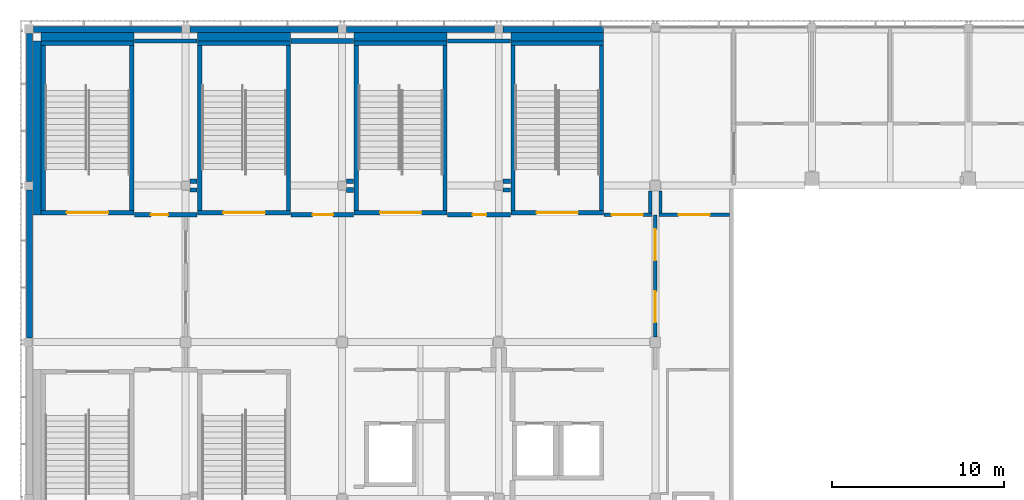
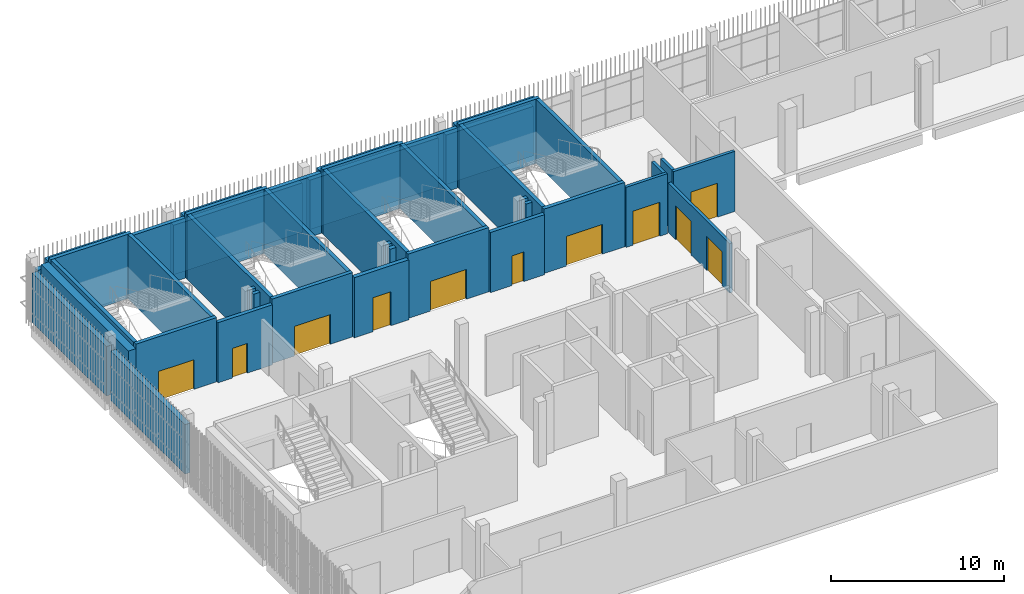
# One storey, part 75 of 124: 44 walls, 11 doors, 11 openings.
"""IFC4 building model written with IfcOpenShell, lengths in metres."""

from ifc_helpers import new_model, si_unit, direction, frame, frame_2d, origin, place, context, subcontext, project, spatial, rectangle, extrude, material, layer, layer_set, type_object, element, fill, save


model = new_model("IFC4")

# Units and contexts
model_context = context("Model", 3, precision=1e-05, world=origin(), true_north=direction((0.0, 1.0)))
body_context = subcontext(model_context, "Body", "Model", "MODEL_VIEW")
ifc_project = project(units=[si_unit("LENGTHUNIT", "METRE"), si_unit("AREAUNIT", "SQUARE_METRE"), si_unit("VOLUMEUNIT", "CUBIC_METRE"), si_unit("PLANEANGLEUNIT", "RADIAN"), si_unit("MASSUNIT", "GRAM", prefix="KILO")], contexts=[model_context])

# Site, building, storey
site_placement = place(None, origin())
site = spatial("IfcSite", under=ifc_project, at=site_placement, CompositionType="ELEMENT")
building_placement = place(site_placement, origin())
building = spatial("IfcBuilding", under=site, at=building_placement, Name="Shirokan Park Arena", CompositionType="ELEMENT")
storey_placement = place(building_placement, frame((0.0, 0.0, 20.02001953125)))
storey = spatial("IfcBuildingStorey", under=building, at=storey_placement, Name="L04", CompositionType="ELEMENT", Elevation=20.02001953125)

# Wall, opening, door
ifc_material_1 = material(Name="Plaster")
ifc_layer_1 = layer(ifc_material_1, 0.014892578125, Name="Plaster")
ifc_material_2 = material(Name="Concrete blockwork", Category="masonry")
ifc_layer_2 = layer(ifc_material_2, 0.219970703125, Name="Concrete blockwork 220")
ifc_layer_3 = layer(ifc_material_1, 0.014892578125, Name="Plaster")
ifc_layer_set_1 = layer_set([ifc_layer_1, ifc_layer_2, ifc_layer_3], Name="Plaster + Concrete blockwork 220")
wall_type_1 = type_object("IfcWallType", Name="Compartment wall 250", PredefinedType="SOLIDWALL", material=ifc_layer_set_1)
wall_1_placement = place(storey_placement, frame((6.1298828125, 98.39990234375, 0.0), z_axis=(0.0, 0.0, 1.0), x_axis=(1.0, 0.0, 0.0)))
wall_1 = element("IfcWall", 1, at=wall_1_placement, inside=storey, type_object=wall_type_1, Name="Compartment wall 250 L04", PredefinedType="SOLIDWALL", context=body_context, shape_type="SweptSolid", body=[
    extrude(rectangle(XDim=3.64013671875, YDim=0.25, at=frame_2d((1.820068359375, 0.0))), origin(), (0.0, 0.0, 1.0), 4.25),
])
opening_1_placement = place(wall_1_placement, frame((0.949951171875, 0.0, 0.0)))
opening_1 = element("IfcOpeningElement", 2, at=opening_1_placement, cuts=wall_1, Name="Opening D-4036", PredefinedType="OPENING", context=body_context, shape_type="SweptSolid", body=[
    extrude(rectangle(XDim=1.0, YDim=2.10009765625, at=frame_2d((0.5, 1.050048828125))), frame((0.0, 0.135009765625, 0.0), z_axis=(0.0, -1.0, 0.0), x_axis=(1.0, 0.0, 0.0)), (0.0, 0.0, 1.0), 0.27001953125),
])
ifc_material_3 = material(Name="Timber door set, fire resisting", Category="wood")
door_type_1 = type_object("IfcDoorType", Name="Door 1000 x 2100", OperationType="SINGLE_SWING_LEFT", PredefinedType="DOOR", material=ifc_material_3)
door_1_placement = place(opening_1_placement, origin())
door_1 = element("IfcDoor", 3, at=door_1_placement, inside=storey, type_object=door_type_1, Name="Door to Records Store 4.40 D-4036", OperationType="SINGLE_SWING_RIGHT", OverallHeight=2.10009765625, OverallWidth=1.0, PredefinedType="DOOR", context=body_context, shape_type="SweptSolid", body=[
    extrude(rectangle(XDim=1.0, YDim=2.10009765625, at=frame_2d((0.5, 1.050048828125))), frame((0.0, 0.02490234375, 0.0), z_axis=(0.0, -1.0, 0.0), x_axis=(1.0, 0.0, 0.0)), (0.0, 0.0, 1.0), 0.050048828125),
])
fill(opening_1, door_1)

# Walls
wall_2_placement = place(storey_placement, frame((6.1298828125, 108.5, 0.0), z_axis=(0.0, 0.0, 1.0), x_axis=(1.0, 0.0, 0.0)))
element("IfcWall", 4, at=wall_2_placement, inside=storey, type_object=wall_type_1, Name="Compartment wall 250 L04", PredefinedType="SOLIDWALL", context=body_context, shape_type="SweptSolid", body=[
    extrude(rectangle(XDim=3.64013671875, YDim=0.25, at=frame_2d((1.820068359375, 0.0))), origin(), (0.0, 0.0, 1.0), 4.25),
])
for number, where, z_axis, x_axis, name in (
    (5, (9.35009765625, 99.85009765625, 0.0), (0.0, 0.0, 1.0), (1.0, 0.0, 0.0), "Compartment wall 250 L04"),
    (6, (9.77001953125, 100.35009765625, 0.0), (0.0, 0.0, 1.0), (-1.0, 0.0, 0.0), "Compartment wall 250 L04"),
):
    element("IfcWall", number, at=place(storey_placement, frame(where, z_axis=z_axis, x_axis=x_axis)), inside=storey, type_object=wall_type_1, Name=name, PredefinedType="SOLIDWALL", context=body_context, shape_type="SweptSolid", body=[
        extrude(rectangle(XDim=0.419921875, YDim=0.25, at=frame_2d((0.2099609375, 0.0))), origin(), (0.0, 0.0, 1.0), 4.25),
    ])

# Wall, opening, door
wall_3_placement = place(storey_placement, frame((24.330078125, 98.39990234375, 0.0), z_axis=(0.0, 0.0, 1.0), x_axis=(1.0, 0.0, 0.0)))
wall_3 = element("IfcWall", 7, at=wall_3_placement, inside=storey, type_object=wall_type_1, Name="Compartment wall 250 L04", PredefinedType="SOLIDWALL", context=body_context, shape_type="SweptSolid", body=[
    extrude(rectangle(XDim=3.639892578125, YDim=0.25, at=frame_2d((1.81982421875, 0.0))), origin(), (0.0, 0.0, 1.0), 4.25),
])
opening_2_placement = place(wall_3_placement, frame((1.449951171875, 0.0, 0.0)))
opening_2 = element("IfcOpeningElement", 8, at=opening_2_placement, cuts=wall_3, Name="Opening D-4038", PredefinedType="OPENING", context=body_context, shape_type="SweptSolid", body=[
    extrude(rectangle(XDim=0.800048828125, YDim=2.10009765625, at=frame_2d((0.39990234375, 1.050048828125))), frame((0.0, 0.135009765625, 0.0), z_axis=(0.0, -1.0, 0.0), x_axis=(1.0, 0.0, 0.0)), (0.0, 0.0, 1.0), 0.27001953125),
])
door_type_2 = type_object("IfcDoorType", Name="Cleaner store door 800 x 2100", OperationType="SINGLE_SWING_LEFT", PredefinedType="DOOR", material=ifc_material_3)
door_2_placement = place(opening_2_placement, origin())
door_2 = element("IfcDoor", 9, at=door_2_placement, inside=storey, type_object=door_type_2, Name="Door to Cleaner's Store 4.42 D-4038", OperationType="SINGLE_SWING_LEFT", OverallHeight=2.10009765625, OverallWidth=0.800048828125, PredefinedType="DOOR", context=body_context, shape_type="SweptSolid", body=[
    extrude(rectangle(XDim=0.800048828125, YDim=2.10009765625, at=frame_2d((0.39990234375, 1.050048828125))), frame((0.0, 0.02490234375, 0.0), z_axis=(0.0, -1.0, 0.0), x_axis=(1.0, 0.0, 0.0)), (0.0, 0.0, 1.0), 0.050048828125),
])
fill(opening_2, door_2)

# Walls
wall_4_placement = place(storey_placement, frame((24.330078125, 108.5, 0.0), z_axis=(0.0, 0.0, 1.0), x_axis=(1.0, 0.0, 0.0)))
element("IfcWall", 10, at=wall_4_placement, inside=storey, type_object=wall_type_1, Name="Compartment wall 250 L04", PredefinedType="SOLIDWALL", context=body_context, shape_type="SweptSolid", body=[
    extrude(rectangle(XDim=3.639892578125, YDim=0.25, at=frame_2d((1.81982421875, 0.0))), origin(), (0.0, 0.0, 1.0), 4.25),
])
for number, where, z_axis, x_axis, name in (
    (11, (27.550048828125, 99.85009765625, 0.0), (0.0, 0.0, 1.0), (1.0, 0.0, 0.0), "Compartment wall 250 L04"),
    (12, (27.969970703125, 100.35009765625, 0.0), (0.0, 0.0, 1.0), (-1.0, 0.0, 0.0), "Compartment wall 250 L04"),
):
    element("IfcWall", number, at=place(storey_placement, frame(where, z_axis=z_axis, x_axis=x_axis)), inside=storey, type_object=wall_type_1, Name=name, PredefinedType="SOLIDWALL", context=body_context, shape_type="SweptSolid", body=[
        extrude(rectangle(XDim=0.419921875, YDim=0.25, at=frame_2d((0.2099609375, 0.0))), origin(), (0.0, 0.0, 1.0), 4.25),
    ])

# Wall, opening, door
ifc_material_4 = material(Name="Gypsum board")
ifc_layer_4 = layer(ifc_material_4, 0.02490234375, Name="Gypsum board, two layers")
ifc_material_5 = material(Name="Mineral wool insulation")
ifc_layer_5 = layer(ifc_material_5, 0.14990234375, Name="Mineral wool insulation")
ifc_layer_6 = layer(ifc_material_4, 0.02490234375, Name="Gypsum board, two layers")
ifc_layer_set_2 = layer_set([ifc_layer_4, ifc_layer_5, ifc_layer_6], Name="Gypsum board, two layers + Mineral wool insulation")
wall_type_2 = type_object("IfcWallType", Name="Corridor wall 200", PredefinedType="PARTITIONING", material=ifc_layer_set_2)
wall_5_placement = place(storey_placement, frame((33.429931640625, 98.39990234375, 0.0), z_axis=(0.0, 0.0, 1.0), x_axis=(1.0, 0.0, 0.0)))
wall_5 = element("IfcWall", 13, at=wall_5_placement, inside=storey, type_object=wall_type_2, Name="Corridor wall 200 L04", PredefinedType="PARTITIONING", context=body_context, shape_type="SweptSolid", body=[
    extrude(rectangle(XDim=2.77001953125, YDim=0.199951171875, at=frame_2d((1.385009765625, 0.0))), origin(), (0.0, 0.0, 1.0), 4.25),
])
opening_3_placement = place(wall_5_placement, frame((0.449951171875, 0.0, 0.0)))
opening_3 = element("IfcOpeningElement", 14, at=opening_3_placement, cuts=wall_5, Name="Opening D-4115", PredefinedType="OPENING", context=body_context, shape_type="SweptSolid", body=[
    extrude(rectangle(XDim=1.800048828125, YDim=2.39990234375, at=frame_2d((0.89990234375, 1.199951171875))), frame((0.0, 0.10986328125, 0.0), z_axis=(0.0, -1.0, 0.0), x_axis=(1.0, 0.0, 0.0)), (0.0, 0.0, 1.0), 0.219970703125),
])
ifc_material_6 = material(Name="Glazed steel door set, fire resisting", Category="steel")
door_type_3 = type_object("IfcDoorType", Name="Lift lobby door 1800 x 2400", OperationType="DOUBLE_DOOR_SINGLE_SWING", PredefinedType="DOOR", material=ifc_material_6)
door_3_placement = place(opening_3_placement, origin())
door_3 = element("IfcDoor", 15, at=door_3_placement, inside=storey, type_object=door_type_3, Name="Door between Broadcast Gallery 4.4.2 and Ring Link 4.4 D-4115", OperationType="DOUBLE_DOOR_SINGLE_SWING", OverallHeight=2.39990234375, OverallWidth=1.800048828125, PredefinedType="DOOR", context=body_context, shape_type="SweptSolid", body=[
    extrude(rectangle(XDim=1.800048828125, YDim=2.39990234375, at=frame_2d((0.89990234375, 1.199951171875))), frame((0.0, 0.02490234375, 0.0), z_axis=(0.0, -1.0, 0.0), x_axis=(1.0, 0.0, 0.0)), (0.0, 0.0, 1.0), 0.050048828125),
])
fill(opening_3, door_3)

# Wall
wall_6_placement = place(storey_placement, frame((36.10009765625, 98.5, 0.0), z_axis=(0.0, 0.0, 1.0), x_axis=(0.0, 1.0, 0.0)))
element("IfcWall", 16, at=wall_6_placement, inside=storey, type_object=wall_type_2, Name="Corridor wall 200 L04", PredefinedType="PARTITIONING", context=body_context, shape_type="SweptSolid", body=[
    extrude(rectangle(XDim=1.300048828125, YDim=0.199951171875, at=frame_2d((0.64990234375, 0.0))), origin(), (0.0, 0.0, 1.0), 4.25),
])

# Wall, openings, doors
wall_7_placement = place(storey_placement, frame((36.39990234375, 98.39990234375, 0.0), z_axis=(0.0, 0.0, 1.0), x_axis=(0.0, -1.0, 0.0)))
wall_7 = element("IfcWall", 17, at=wall_7_placement, inside=storey, type_object=wall_type_2, Name="Corridor wall 200 L04", PredefinedType="PARTITIONING", context=body_context, shape_type="SweptSolid", body=[
    extrude(rectangle(XDim=7.099853515625, YDim=0.199951171875, at=frame_2d((3.5498046875, 0.0))), origin(), (0.0, 0.0, 1.0), 3.5),
])
opening_4_placement = place(wall_7_placement, frame((0.85009765625, 0.0, 0.0)))
opening_4 = element("IfcOpeningElement", 18, at=opening_4_placement, cuts=wall_7, Name="Opening D-4111", PredefinedType="OPENING", context=body_context, shape_type="SweptSolid", body=[
    extrude(rectangle(XDim=1.800048828125, YDim=2.39990234375, at=frame_2d((0.89990234375, 1.199951171875))), frame((0.0, 0.10986328125, 0.0), z_axis=(0.0, -1.0, 0.0), x_axis=(1.0, 0.0, 0.0)), (0.0, 0.0, 1.0), 0.219970703125),
])
opening_5_placement = place(wall_7_placement, frame((4.449951171875, 0.0, 0.0)))
opening_5 = element("IfcOpeningElement", 19, at=opening_5_placement, cuts=wall_7, Name="Opening D-4112", PredefinedType="OPENING", context=body_context, shape_type="SweptSolid", body=[
    extrude(rectangle(XDim=1.800048828125, YDim=2.39990234375, at=frame_2d((0.89990234375, 1.199951171875))), frame((0.0, 0.10986328125, 0.0), z_axis=(0.0, -1.0, 0.0), x_axis=(1.0, 0.0, 0.0)), (0.0, 0.0, 1.0), 0.219970703125),
])
door_4_placement = place(opening_4_placement, origin())
door_4 = element("IfcDoor", 20, at=door_4_placement, inside=storey, type_object=door_type_3, Name="Door between Broadcast Gallery 4.4.2 and Staff Foyer 4.4.3 D-4111", OperationType="DOUBLE_DOOR_SINGLE_SWING", OverallHeight=2.39990234375, OverallWidth=1.800048828125, PredefinedType="DOOR", context=body_context, shape_type="SweptSolid", body=[
    extrude(rectangle(XDim=1.800048828125, YDim=2.39990234375, at=frame_2d((0.89990234375, 1.199951171875))), frame((0.0, 0.02490234375, 0.0), z_axis=(0.0, -1.0, 0.0), x_axis=(1.0, 0.0, 0.0)), (0.0, 0.0, 1.0), 0.050048828125),
])
fill(opening_4, door_4)
door_5_placement = place(opening_5_placement, origin())
door_5 = element("IfcDoor", 21, at=door_5_placement, inside=storey, type_object=door_type_3, Name="Door between Broadcast Gallery 4.4.2 and Staff Foyer 4.4.3 D-4112", OperationType="DOUBLE_DOOR_SINGLE_SWING", OverallHeight=2.39990234375, OverallWidth=1.800048828125, PredefinedType="DOOR", context=body_context, shape_type="SweptSolid", body=[
    extrude(rectangle(XDim=1.800048828125, YDim=2.39990234375, at=frame_2d((0.89990234375, 1.199951171875))), frame((0.0, 0.02490234375, 0.0), z_axis=(0.0, -1.0, 0.0), x_axis=(1.0, 0.0, 0.0)), (0.0, 0.0, 1.0), 0.050048828125),
])
fill(opening_5, door_5)

# Wall, opening, door
wall_8_placement = place(storey_placement, frame((36.60009765625, 98.39990234375, 0.0), z_axis=(0.0, 0.0, 1.0), x_axis=(1.0, 0.0, 0.0)))
wall_8 = element("IfcWall", 22, at=wall_8_placement, inside=storey, type_object=wall_type_2, Name="Corridor wall 200 L04", PredefinedType="PARTITIONING", context=body_context, shape_type="SweptSolid", body=[
    extrude(rectangle(XDim=4.099853515625, YDim=0.199951171875, at=frame_2d((2.0498046875, 0.0))), origin(), (0.0, 0.0, 1.0), 4.25),
])
opening_6_placement = place(wall_8_placement, frame((1.14990234375, 0.0, 0.0)))
opening_6 = element("IfcOpeningElement", 23, at=opening_6_placement, cuts=wall_8, Name="Opening D-4116", PredefinedType="OPENING", context=body_context, shape_type="SweptSolid", body=[
    extrude(rectangle(XDim=1.800048828125, YDim=2.39990234375, at=frame_2d((0.89990234375, 1.199951171875))), frame((0.0, 0.10986328125, 0.0), z_axis=(0.0, -1.0, 0.0), x_axis=(1.0, 0.0, 0.0)), (0.0, 0.0, 1.0), 0.219970703125),
])
door_6_placement = place(opening_6_placement, origin())
door_6 = element("IfcDoor", 24, at=door_6_placement, inside=storey, type_object=door_type_3, Name="Door between Staff Foyer 4.4.3 and Ring Link 4.4 D-4116", OperationType="DOUBLE_DOOR_SINGLE_SWING", OverallHeight=2.39990234375, OverallWidth=1.800048828125, PredefinedType="DOOR", context=body_context, shape_type="SweptSolid", body=[
    extrude(rectangle(XDim=1.800048828125, YDim=2.39990234375, at=frame_2d((0.89990234375, 1.199951171875))), frame((0.0, 0.02490234375, 0.0), z_axis=(0.0, -1.0, 0.0), x_axis=(1.0, 0.0, 0.0)), (0.0, 0.0, 1.0), 0.050048828125),
])
fill(opening_6, door_6)

# Walls
wall_9_placement = place(storey_placement, frame((36.699951171875, 99.800048828125, 0.0), z_axis=(0.0, 0.0, 1.0), x_axis=(0.0, -1.0, 0.0)))
element("IfcWall", 25, at=wall_9_placement, inside=storey, type_object=wall_type_2, Name="Corridor wall 200 L04", PredefinedType="PARTITIONING", context=body_context, shape_type="SweptSolid", body=[
    extrude(rectangle(XDim=1.300048828125, YDim=0.199951171875, at=frame_2d((0.64990234375, 0.0))), origin(), (0.0, 0.0, 1.0), 4.25),
])
ifc_material_7 = material(Name="Cedar cladding")
ifc_layer_7 = layer(ifc_material_7, 0.030029296875, Name="Cedar cladding")
ifc_layer_8 = layer(ifc_material_5, 0.10009765625, Name="Mineral wool insulation")
ifc_material_8 = material(Name="Concrete C35", Category="concrete")
ifc_layer_9 = layer(ifc_material_8, 0.199951171875, Name="Concrete C35")
ifc_material_9 = material(Name="Gypsum board lining")
ifc_layer_10 = layer(ifc_material_9, 0.02001953125, Name="Gypsum board lining")
ifc_layer_set_3 = layer_set([ifc_layer_7, ifc_layer_8, ifc_layer_9, ifc_layer_10], Name="Cedar cladding + Mineral wool insulation + Concrete C35 + Gypsum board lining")
wall_type_3 = type_object("IfcWallType", Name="Insulated tower wall 350", PredefinedType="SOLIDWALL", material=ifc_layer_set_3)
wall_10_placement = place(storey_placement, frame((33.39990234375, 109.175048828125, 0.0), z_axis=(0.0, 0.0, 1.0), x_axis=(-1.0, 0.0, 0.0)))
element("IfcWall", 26, at=wall_10_placement, inside=storey, type_object=wall_type_3, Name="North facade wall bay 13 L04", PredefinedType="SOLIDWALL", context=body_context, shape_type="SweptSolid", body=[
    extrude(rectangle(XDim=5.849853515625, YDim=0.35009765625, at=frame_2d((2.9248046875, 0.0))), origin(), (0.0, 0.0, 1.0), 3.5),
])
wall_11_placement = place(storey_placement, frame((27.050048828125, 109.175048828125, 0.0), z_axis=(0.0, 0.0, 1.0), x_axis=(-1.0, 0.0, 0.0)))
element("IfcWall", 27, at=wall_11_placement, inside=storey, type_object=wall_type_3, Name="North facade wall bay 14 L04", PredefinedType="SOLIDWALL", context=body_context, shape_type="SweptSolid", body=[
    extrude(rectangle(XDim=8.60009765625, YDim=0.35009765625, at=frame_2d((4.300048828125, 0.0))), origin(), (0.0, 0.0, 1.0), 3.5),
])
wall_12_placement = place(storey_placement, frame((17.949951171875, 109.175048828125, 0.0), z_axis=(0.0, 0.0, 1.0), x_axis=(-1.0, 0.0, 0.0)))
element("IfcWall", 28, at=wall_12_placement, inside=storey, type_object=wall_type_3, Name="North facade wall bay 15 L04", PredefinedType="SOLIDWALL", context=body_context, shape_type="SweptSolid", body=[
    extrude(rectangle(XDim=8.599853515625, YDim=0.35009765625, at=frame_2d((4.2998046875, 0.0))), origin(), (0.0, 0.0, 1.0), 3.5),
])
wall_13_placement = place(storey_placement, frame((8.85009765625, 109.175048828125, 0.0), z_axis=(0.0, 0.0, 1.0), x_axis=(-1.0, 0.0, 0.0)))
element("IfcWall", 29, at=wall_13_placement, inside=storey, type_object=wall_type_3, Name="North facade wall bay 16 L04", PredefinedType="SOLIDWALL", context=body_context, shape_type="SweptSolid", body=[
    extrude(rectangle(XDim=8.60009765625, YDim=0.35009765625, at=frame_2d((4.300048828125, 0.0))), origin(), (0.0, 0.0, 1.0), 3.5),
])
wall_14_placement = place(storey_placement, frame((0.02490234375, 108.949951171875, 0.0), z_axis=(0.0, 0.0, 1.0), x_axis=(0.0, -1.0, 0.0)))
element("IfcWall", 30, at=wall_14_placement, inside=storey, type_object=wall_type_3, Name="West facade wall bay 1 L04", PredefinedType="SOLIDWALL", context=body_context, shape_type="SweptSolid", body=[
    extrude(rectangle(XDim=8.599853515625, YDim=0.35009765625, at=frame_2d((4.2998046875, 0.0))), origin(), (0.0, 0.0, 1.0), 3.5),
])
wall_15_placement = place(storey_placement, frame((0.02490234375, 99.85009765625, 0.0), z_axis=(0.0, 0.0, 1.0), x_axis=(0.0, -1.0, 0.0)))
element("IfcWall", 31, at=wall_15_placement, inside=storey, type_object=wall_type_3, Name="West facade wall bay 2 L04", PredefinedType="SOLIDWALL", context=body_context, shape_type="SweptSolid", body=[
    extrude(rectangle(XDim=8.60009765625, YDim=0.35009765625, at=frame_2d((4.300048828125, 0.0))), origin(), (0.0, 0.0, 1.0), 3.5),
])

# Wall, opening, door
ifc_layer_11 = layer(ifc_material_1, 0.012451171875, Name="Plaster")
ifc_layer_12 = layer(ifc_material_2, 0.25, Name="Concrete blockwork 250")
ifc_layer_13 = layer(ifc_material_1, 0.012451171875, Name="Plaster")
ifc_layer_set_4 = layer_set([ifc_layer_11, ifc_layer_12, ifc_layer_13], Name="Plaster + Concrete blockwork 250")
wall_type_4 = type_object("IfcWallType", Name="Plant room wall 275", PredefinedType="SOLIDWALL", material=ifc_layer_set_4)
wall_16_placement = place(storey_placement, frame((15.22998046875, 98.39990234375, 0.0), z_axis=(0.0, 0.0, 1.0), x_axis=(1.0, 0.0, 0.0)))
wall_16 = element("IfcWall", 32, at=wall_16_placement, inside=storey, type_object=wall_type_4, Name="Plant room wall 275 L04", PredefinedType="SOLIDWALL", context=body_context, shape_type="SweptSolid", body=[
    extrude(rectangle(XDim=3.64013671875, YDim=0.27490234375, at=frame_2d((1.820068359375, 0.0))), origin(), (0.0, 0.0, 1.0), 4.25),
])
opening_7_placement = place(wall_16_placement, frame((1.25, 0.0, 0.0)))
opening_7 = element("IfcOpeningElement", 33, at=opening_7_placement, cuts=wall_16, Name="Opening D-4037", PredefinedType="OPENING", context=body_context, shape_type="SweptSolid", body=[
    extrude(rectangle(XDim=1.199951171875, YDim=2.39990234375, at=frame_2d((0.60009765625, 1.199951171875))), frame((0.0, 0.1474609375, 0.0), z_axis=(0.0, -1.0, 0.0), x_axis=(1.0, 0.0, 0.0)), (0.0, 0.0, 1.0), 0.294921875),
])
ifc_material_10 = material(Name="Louvred steel door set, fire resisting", Category="steel")
door_type_4 = type_object("IfcDoorType", Name="Plant room door 1200 x 2400", OperationType="SINGLE_SWING_LEFT", PredefinedType="DOOR", material=ifc_material_10)
door_7_placement = place(opening_7_placement, origin())
door_7 = element("IfcDoor", 34, at=door_7_placement, inside=storey, type_object=door_type_4, Name="Door to Electrical Room 4.41 D-4037", OperationType="SINGLE_SWING_LEFT", OverallHeight=2.39990234375, OverallWidth=1.199951171875, PredefinedType="DOOR", context=body_context, shape_type="SweptSolid", body=[
    extrude(rectangle(XDim=1.199951171875, YDim=2.39990234375, at=frame_2d((0.60009765625, 1.199951171875))), frame((0.0, 0.02490234375, 0.0), z_axis=(0.0, -1.0, 0.0), x_axis=(1.0, 0.0, 0.0)), (0.0, 0.0, 1.0), 0.050048828125),
])
fill(opening_7, door_7)

# Walls
wall_17_placement = place(storey_placement, frame((15.22998046875, 108.5, 0.0), z_axis=(0.0, 0.0, 1.0), x_axis=(1.0, 0.0, 0.0)))
element("IfcWall", 35, at=wall_17_placement, inside=storey, type_object=wall_type_4, Name="Plant room wall 275 L04", PredefinedType="SOLIDWALL", context=body_context, shape_type="SweptSolid", body=[
    extrude(rectangle(XDim=3.64013671875, YDim=0.27490234375, at=frame_2d((1.820068359375, 0.0))), origin(), (0.0, 0.0, 1.0), 4.25),
])
for number, where, z_axis, x_axis, name in (
    (36, (18.449951171875, 99.85009765625, 0.0), (0.0, 0.0, 1.0), (1.0, 0.0, 0.0), "Plant room wall 275 L04"),
    (37, (18.8701171875, 100.35009765625, 0.0), (0.0, 0.0, 1.0), (-1.0, 0.0, 0.0), "Plant room wall 275 L04"),
):
    element("IfcWall", number, at=place(storey_placement, frame(where, z_axis=z_axis, x_axis=x_axis)), inside=storey, type_object=wall_type_4, Name=name, PredefinedType="SOLIDWALL", context=body_context, shape_type="SweptSolid", body=[
        extrude(rectangle(XDim=0.420166015625, YDim=0.27490234375, at=frame_2d((0.2099609375, 0.0))), origin(), (0.0, 0.0, 1.0), 4.25),
    ])

# Wall, opening, door
ifc_material_11 = material(Name="Concrete C40/50", Category="concrete")
ifc_layer_14 = layer(ifc_material_11, 0.25)
ifc_layer_set_5 = layer_set([ifc_layer_14], Name="Concrete C40/50 250 mm")
wall_type_5 = type_object("IfcWallType", Name="RC shear wall 250", PredefinedType="SHEAR", material=ifc_layer_set_5)
wall_18_placement = place(storey_placement, frame((6.10009765625, 98.52490234375, 0.0), z_axis=(0.0, 0.0, 1.0), x_axis=(-1.0, 0.0, 0.0)))
wall_18 = element("IfcWall", 38, at=wall_18_placement, inside=storey, type_object=wall_type_5, Name="Shaft wall Exit Stair 4.A S L04", PredefinedType="SHEAR", context=body_context, shape_type="SweptSolid", body=[
    extrude(rectangle(XDim=5.400146484375, YDim=0.25, at=frame_2d((2.7001953125, 0.0))), origin(), (0.0, 0.0, 1.0), 4.550048828125),
])
opening_8_placement = place(wall_18_placement, frame((1.5, 0.0, 0.0)))
opening_8 = element("IfcOpeningElement", 39, at=opening_8_placement, cuts=wall_18, Name="Opening D-4136", PredefinedType="OPENING", context=body_context, shape_type="SweptSolid", body=[
    extrude(rectangle(XDim=2.39990234375, YDim=2.10009765625, at=frame_2d((1.199951171875, 1.050048828125))), frame((0.0, 0.135009765625, 0.0), z_axis=(0.0, -1.0, 0.0), x_axis=(1.0, 0.0, 0.0)), (0.0, 0.0, 1.0), 0.27001953125),
])
ifc_material_12 = material(Name="Steel door set, fire resisting", Category="steel")
door_type_5 = type_object("IfcDoorType", Name="Stair door 2400 x 2100", OperationType="DOUBLE_DOOR_SINGLE_SWING", PredefinedType="DOOR", material=ifc_material_12)
door_8_placement = place(opening_8_placement, origin())
door_8 = element("IfcDoor", 40, at=door_8_placement, inside=storey, type_object=door_type_5, Name="Stair door Exit Stair 4.A D-4136", OperationType="DOUBLE_DOOR_SINGLE_SWING", OverallHeight=2.10009765625, OverallWidth=2.39990234375, PredefinedType="DOOR", context=body_context, shape_type="SweptSolid", body=[
    extrude(rectangle(XDim=2.39990234375, YDim=2.10009765625, at=frame_2d((1.199951171875, 1.050048828125))), frame((0.0, 0.02490234375, 0.0), z_axis=(0.0, -1.0, 0.0), x_axis=(1.0, 0.0, 0.0)), (0.0, 0.0, 1.0), 0.050048828125),
])
fill(opening_8, door_8)

# Walls
wall_19_placement = place(storey_placement, frame((6.10009765625, 108.375, 0.0), z_axis=(0.0, 0.0, 1.0), x_axis=(-1.0, 0.0, 0.0)))
element("IfcWall", 41, at=wall_19_placement, inside=storey, type_object=wall_type_5, Name="Shaft wall Exit Stair 4.A N L04", PredefinedType="SHEAR", context=body_context, shape_type="SweptSolid", body=[
    extrude(rectangle(XDim=5.400146484375, YDim=0.25, at=frame_2d((2.7001953125, 0.0))), origin(), (0.0, 0.0, 1.0), 4.550048828125),
])
for number, where, z_axis, x_axis, name in (
    (42, (0.824951171875, 108.25, 0.0), (0.0, 0.0, 1.0), (0.0, -1.0, 0.0), "Shaft wall Exit Stair 4.A W L04"),
    (43, (5.97509765625, 108.25, 0.0), (0.0, 0.0, 1.0), (0.0, -1.0, 0.0), "Shaft wall Exit Stair 4.A E L04"),
):
    element("IfcWall", number, at=place(storey_placement, frame(where, z_axis=z_axis, x_axis=x_axis)), inside=storey, type_object=wall_type_5, Name=name, PredefinedType="SHEAR", context=body_context, shape_type="SweptSolid", body=[
        extrude(rectangle(XDim=9.60009765625, YDim=0.25, at=frame_2d((4.800048828125, 0.0))), origin(), (0.0, 0.0, 1.0), 4.550048828125),
    ])

# Wall, opening, door
wall_20_placement = place(storey_placement, frame((15.199951171875, 98.52490234375, 0.0), z_axis=(0.0, 0.0, 1.0), x_axis=(-1.0, 0.0, 0.0)))
wall_20 = element("IfcWall", 44, at=wall_20_placement, inside=storey, type_object=wall_type_5, Name="Shaft wall Exit Stair 4.B S L04", PredefinedType="SHEAR", context=body_context, shape_type="SweptSolid", body=[
    extrude(rectangle(XDim=5.39990234375, YDim=0.25, at=frame_2d((2.699951171875, 0.0))), origin(), (0.0, 0.0, 1.0), 4.550048828125),
])
opening_9_placement = place(wall_20_placement, frame((1.5, 0.0, 0.0)))
opening_9 = element("IfcOpeningElement", 45, at=opening_9_placement, cuts=wall_20, Name="Opening D-4137", PredefinedType="OPENING", context=body_context, shape_type="SweptSolid", body=[
    extrude(rectangle(XDim=2.39990234375, YDim=2.10009765625, at=frame_2d((1.199951171875, 1.050048828125))), frame((0.0, 0.135009765625, 0.0), z_axis=(0.0, -1.0, 0.0), x_axis=(1.0, 0.0, 0.0)), (0.0, 0.0, 1.0), 0.27001953125),
])
door_9_placement = place(opening_9_placement, origin())
door_9 = element("IfcDoor", 46, at=door_9_placement, inside=storey, type_object=door_type_5, Name="Stair door Exit Stair 4.B D-4137", OperationType="DOUBLE_DOOR_SINGLE_SWING", OverallHeight=2.10009765625, OverallWidth=2.39990234375, PredefinedType="DOOR", context=body_context, shape_type="SweptSolid", body=[
    extrude(rectangle(XDim=2.39990234375, YDim=2.10009765625, at=frame_2d((1.199951171875, 1.050048828125))), frame((0.0, 0.02490234375, 0.0), z_axis=(0.0, -1.0, 0.0), x_axis=(1.0, 0.0, 0.0)), (0.0, 0.0, 1.0), 0.050048828125),
])
fill(opening_9, door_9)

# Walls
wall_21_placement = place(storey_placement, frame((15.199951171875, 108.375, 0.0), z_axis=(0.0, 0.0, 1.0), x_axis=(-1.0, 0.0, 0.0)))
element("IfcWall", 47, at=wall_21_placement, inside=storey, type_object=wall_type_5, Name="Shaft wall Exit Stair 4.B N L04", PredefinedType="SHEAR", context=body_context, shape_type="SweptSolid", body=[
    extrude(rectangle(XDim=5.39990234375, YDim=0.25, at=frame_2d((2.699951171875, 0.0))), origin(), (0.0, 0.0, 1.0), 4.550048828125),
])
for number, where, z_axis, x_axis, name in (
    (48, (9.925048828125, 108.25, 0.0), (0.0, 0.0, 1.0), (0.0, -1.0, 0.0), "Shaft wall Exit Stair 4.B W L04"),
    (49, (15.074951171875, 108.25, 0.0), (0.0, 0.0, 1.0), (0.0, -1.0, 0.0), "Shaft wall Exit Stair 4.B E L04"),
):
    element("IfcWall", number, at=place(storey_placement, frame(where, z_axis=z_axis, x_axis=x_axis)), inside=storey, type_object=wall_type_5, Name=name, PredefinedType="SHEAR", context=body_context, shape_type="SweptSolid", body=[
        extrude(rectangle(XDim=9.60009765625, YDim=0.25, at=frame_2d((4.800048828125, 0.0))), origin(), (0.0, 0.0, 1.0), 4.550048828125),
    ])

# Wall, opening, door
wall_22_placement = place(storey_placement, frame((24.300048828125, 98.52490234375, 0.0), z_axis=(0.0, 0.0, 1.0), x_axis=(-1.0, 0.0, 0.0)))
wall_22 = element("IfcWall", 50, at=wall_22_placement, inside=storey, type_object=wall_type_5, Name="Shaft wall Exit Stair 4.C S L04", PredefinedType="SHEAR", context=body_context, shape_type="SweptSolid", body=[
    extrude(rectangle(XDim=5.400146484375, YDim=0.25, at=frame_2d((2.7001953125, 0.0))), origin(), (0.0, 0.0, 1.0), 4.550048828125),
])
opening_10_placement = place(wall_22_placement, frame((1.5, 0.0, 0.0)))
opening_10 = element("IfcOpeningElement", 51, at=opening_10_placement, cuts=wall_22, Name="Opening D-4138", PredefinedType="OPENING", context=body_context, shape_type="SweptSolid", body=[
    extrude(rectangle(XDim=2.39990234375, YDim=2.10009765625, at=frame_2d((1.199951171875, 1.050048828125))), frame((0.0, 0.135009765625, 0.0), z_axis=(0.0, -1.0, 0.0), x_axis=(1.0, 0.0, 0.0)), (0.0, 0.0, 1.0), 0.27001953125),
])
door_10_placement = place(opening_10_placement, origin())
door_10 = element("IfcDoor", 52, at=door_10_placement, inside=storey, type_object=door_type_5, Name="Stair door Exit Stair 4.C D-4138", OperationType="DOUBLE_DOOR_SINGLE_SWING", OverallHeight=2.10009765625, OverallWidth=2.39990234375, PredefinedType="DOOR", context=body_context, shape_type="SweptSolid", body=[
    extrude(rectangle(XDim=2.39990234375, YDim=2.10009765625, at=frame_2d((1.199951171875, 1.050048828125))), frame((0.0, 0.02490234375, 0.0), z_axis=(0.0, -1.0, 0.0), x_axis=(1.0, 0.0, 0.0)), (0.0, 0.0, 1.0), 0.050048828125),
])
fill(opening_10, door_10)

# Walls
wall_23_placement = place(storey_placement, frame((24.300048828125, 108.375, 0.0), z_axis=(0.0, 0.0, 1.0), x_axis=(-1.0, 0.0, 0.0)))
element("IfcWall", 53, at=wall_23_placement, inside=storey, type_object=wall_type_5, Name="Shaft wall Exit Stair 4.C N L04", PredefinedType="SHEAR", context=body_context, shape_type="SweptSolid", body=[
    extrude(rectangle(XDim=5.400146484375, YDim=0.25, at=frame_2d((2.7001953125, 0.0))), origin(), (0.0, 0.0, 1.0), 4.550048828125),
])
for number, where, z_axis, x_axis, name in (
    (54, (19.02490234375, 108.25, 0.0), (0.0, 0.0, 1.0), (0.0, -1.0, 0.0), "Shaft wall Exit Stair 4.C W L04"),
    (55, (24.175048828125, 108.25, 0.0), (0.0, 0.0, 1.0), (0.0, -1.0, 0.0), "Shaft wall Exit Stair 4.C E L04"),
):
    element("IfcWall", number, at=place(storey_placement, frame(where, z_axis=z_axis, x_axis=x_axis)), inside=storey, type_object=wall_type_5, Name=name, PredefinedType="SHEAR", context=body_context, shape_type="SweptSolid", body=[
        extrude(rectangle(XDim=9.60009765625, YDim=0.25, at=frame_2d((4.800048828125, 0.0))), origin(), (0.0, 0.0, 1.0), 4.550048828125),
    ])

# Wall, opening, door
wall_24_placement = place(storey_placement, frame((33.39990234375, 98.52490234375, 0.0), z_axis=(0.0, 0.0, 1.0), x_axis=(-1.0, 0.0, 0.0)))
wall_24 = element("IfcWall", 56, at=wall_24_placement, inside=storey, type_object=wall_type_5, Name="Shaft wall Exit Stair 4.D S L04", PredefinedType="SHEAR", context=body_context, shape_type="SweptSolid", body=[
    extrude(rectangle(XDim=5.39990234375, YDim=0.25, at=frame_2d((2.699951171875, 0.0))), origin(), (0.0, 0.0, 1.0), 4.550048828125),
])
opening_11_placement = place(wall_24_placement, frame((1.5, 0.0, 0.0)))
opening_11 = element("IfcOpeningElement", 57, at=opening_11_placement, cuts=wall_24, Name="Opening D-4139", PredefinedType="OPENING", context=body_context, shape_type="SweptSolid", body=[
    extrude(rectangle(XDim=2.39990234375, YDim=2.10009765625, at=frame_2d((1.199951171875, 1.050048828125))), frame((0.0, 0.135009765625, 0.0), z_axis=(0.0, -1.0, 0.0), x_axis=(1.0, 0.0, 0.0)), (0.0, 0.0, 1.0), 0.27001953125),
])
door_11_placement = place(opening_11_placement, origin())
door_11 = element("IfcDoor", 58, at=door_11_placement, inside=storey, type_object=door_type_5, Name="Stair door Exit Stair 4.D D-4139", OperationType="DOUBLE_DOOR_SINGLE_SWING", OverallHeight=2.10009765625, OverallWidth=2.39990234375, PredefinedType="DOOR", context=body_context, shape_type="SweptSolid", body=[
    extrude(rectangle(XDim=2.39990234375, YDim=2.10009765625, at=frame_2d((1.199951171875, 1.050048828125))), frame((0.0, 0.02490234375, 0.0), z_axis=(0.0, -1.0, 0.0), x_axis=(1.0, 0.0, 0.0)), (0.0, 0.0, 1.0), 0.050048828125),
])
fill(opening_11, door_11)

# Walls
wall_25_placement = place(storey_placement, frame((33.39990234375, 108.375, 0.0), z_axis=(0.0, 0.0, 1.0), x_axis=(-1.0, 0.0, 0.0)))
element("IfcWall", 59, at=wall_25_placement, inside=storey, type_object=wall_type_5, Name="Shaft wall Exit Stair 4.D N L04", PredefinedType="SHEAR", context=body_context, shape_type="SweptSolid", body=[
    extrude(rectangle(XDim=5.39990234375, YDim=0.25, at=frame_2d((2.699951171875, 0.0))), origin(), (0.0, 0.0, 1.0), 4.550048828125),
])
for number, where, z_axis, x_axis, name in (
    (60, (28.125, 108.25, 0.0), (0.0, 0.0, 1.0), (0.0, -1.0, 0.0), "Shaft wall Exit Stair 4.D W L04"),
    (61, (33.27490234375, 108.25, 0.0), (0.0, 0.0, 1.0), (0.0, -1.0, 0.0), "Shaft wall Exit Stair 4.D E L04"),
):
    element("IfcWall", number, at=place(storey_placement, frame(where, z_axis=z_axis, x_axis=x_axis)), inside=storey, type_object=wall_type_5, Name=name, PredefinedType="SHEAR", context=body_context, shape_type="SweptSolid", body=[
        extrude(rectangle(XDim=9.60009765625, YDim=0.25, at=frame_2d((4.800048828125, 0.0))), origin(), (0.0, 0.0, 1.0), 4.550048828125),
    ])
ifc_layer_15 = layer(ifc_material_8, 0.5)
ifc_layer_set_6 = layer_set([ifc_layer_15], Name="Concrete C35 500 mm")
wall_type_6 = type_object("IfcWallType", Name="Shaft infill wall 500", PredefinedType="SOLIDWALL", material=ifc_layer_set_6)
wall_26_placement = place(storey_placement, frame((0.699951171875, 108.75, 0.0), z_axis=(0.0, 0.0, 1.0), x_axis=(1.0, 0.0, 0.0)))
element("IfcWall", 62, at=wall_26_placement, inside=storey, type_object=wall_type_6, Name="Shaft infill wall L04", PredefinedType="SOLIDWALL", context=body_context, shape_type="SweptSolid", body=[
    extrude(rectangle(XDim=5.400146484375, YDim=0.5, at=frame_2d((2.7001953125, 0.0))), origin(), (0.0, 0.0, 1.0), 4.25),
])
wall_27_placement = place(storey_placement, frame((0.449951171875, 98.39990234375, 0.0), z_axis=(0.0, 0.0, 1.0), x_axis=(0.0, 1.0, 0.0)))
element("IfcWall", 63, at=wall_27_placement, inside=storey, type_object=wall_type_6, Name="Shaft infill wall L04", PredefinedType="SOLIDWALL", context=body_context, shape_type="SweptSolid", body=[
    extrude(rectangle(XDim=10.10009765625, YDim=0.5, at=frame_2d((5.050048828125, 0.0))), origin(), (0.0, 0.0, 1.0), 4.25),
])
wall_28_placement = place(storey_placement, frame((9.800048828125, 108.75, 0.0), z_axis=(0.0, 0.0, 1.0), x_axis=(1.0, 0.0, 0.0)))
element("IfcWall", 64, at=wall_28_placement, inside=storey, type_object=wall_type_6, Name="Shaft infill wall L04", PredefinedType="SOLIDWALL", context=body_context, shape_type="SweptSolid", body=[
    extrude(rectangle(XDim=5.39990234375, YDim=0.5, at=frame_2d((2.699951171875, 0.0))), origin(), (0.0, 0.0, 1.0), 4.25),
])
wall_29_placement = place(storey_placement, frame((18.89990234375, 108.75, 0.0), z_axis=(0.0, 0.0, 1.0), x_axis=(1.0, 0.0, 0.0)))
element("IfcWall", 65, at=wall_29_placement, inside=storey, type_object=wall_type_6, Name="Shaft infill wall L04", PredefinedType="SOLIDWALL", context=body_context, shape_type="SweptSolid", body=[
    extrude(rectangle(XDim=5.400146484375, YDim=0.5, at=frame_2d((2.7001953125, 0.0))), origin(), (0.0, 0.0, 1.0), 4.25),
])
wall_30_placement = place(storey_placement, frame((28.0, 108.75, 0.0), z_axis=(0.0, 0.0, 1.0), x_axis=(1.0, 0.0, 0.0)))
element("IfcWall", 66, at=wall_30_placement, inside=storey, type_object=wall_type_6, Name="Shaft infill wall L04", PredefinedType="SOLIDWALL", context=body_context, shape_type="SweptSolid", body=[
    extrude(rectangle(XDim=5.39990234375, YDim=0.5, at=frame_2d((2.699951171875, 0.0))), origin(), (0.0, 0.0, 1.0), 4.25),
])

save(model, "model.ifc")
